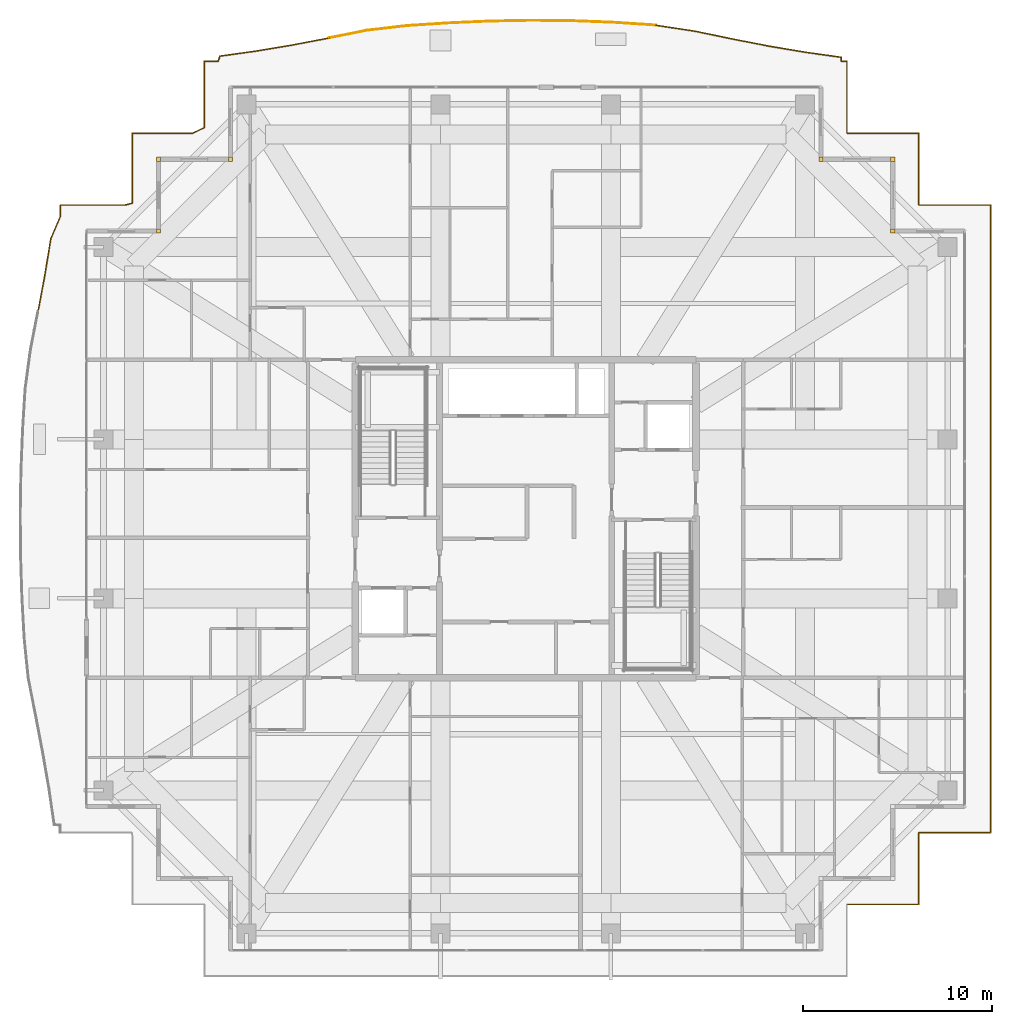
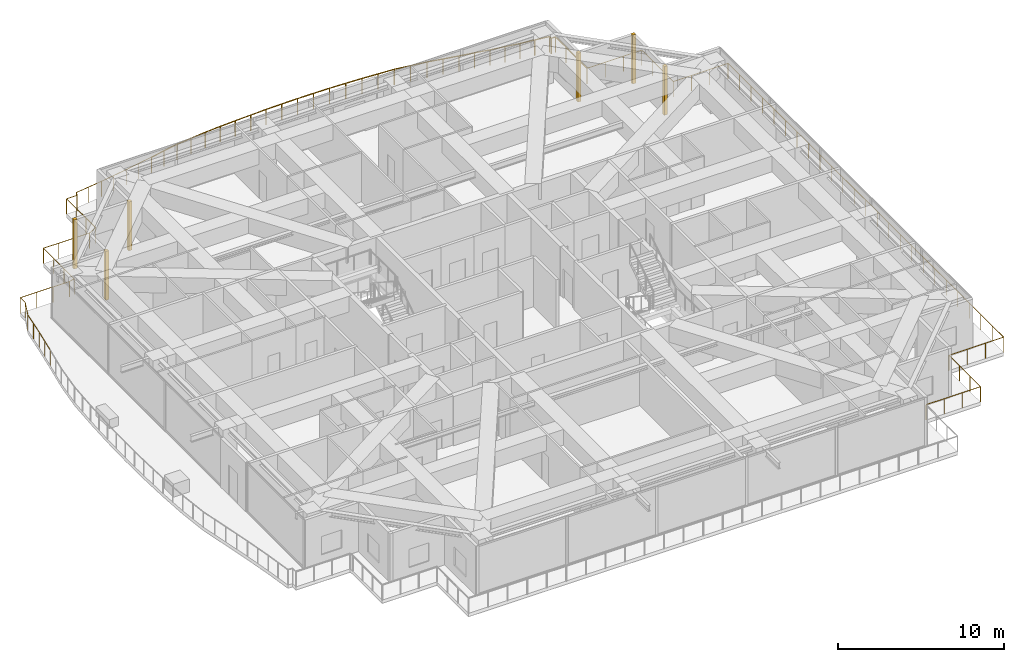
# One storey, part 40 of 40: 6 coverings, 5 railings.
"""IFC4 building model written with IfcOpenShell, lengths in metres."""

from ifc_helpers import new_model, si_unit, direction, frame, origin, origin_2d, place, context, subcontext, project, spatial, rectangle, circle, extrude, source, transform, mapped, material, layer, layer_set, type_object, element, save


model = new_model("IFC4")

# Units and contexts
model_context = context("Model", 3, precision=1e-05, world=origin(), true_north=direction((0.0, 1.0)))
body_context = subcontext(model_context, "Body", "Model", "MODEL_VIEW")
ifc_project = project(units=[si_unit("LENGTHUNIT", "METRE"), si_unit("AREAUNIT", "SQUARE_METRE"), si_unit("VOLUMEUNIT", "CUBIC_METRE"), si_unit("PLANEANGLEUNIT", "RADIAN"), si_unit("MASSUNIT", "GRAM", prefix="KILO")], contexts=[model_context])

# Site, building, storey
site_placement = place(None, origin())
site = spatial("IfcSite", under=ifc_project, at=site_placement, CompositionType="ELEMENT")
building_placement = place(site_placement, origin())
building = spatial("IfcBuilding", under=site, at=building_placement, Name="Serunith Strait Residences", CompositionType="ELEMENT")
storey_placement = place(building_placement, frame((0.0, 0.0, 333.949951171875)))
storey = spatial("IfcBuildingStorey", under=building, at=storey_placement, Name="L83", CompositionType="ELEMENT", Elevation=333.949951171875)

# Railings
ifc_material_1 = material(Name="Stainless Steel & Laminated Glass Balustrade", Category="steel")
railing_type = type_object("IfcRailingType", Name="RLG-BALC-1150", PredefinedType="BALUSTRADE", material=ifc_material_1)
railing_1_placement = place(storey_placement, frame((6.634521484375, 36.13916015625, -0.050048828125)))
element("IfcRailing", 1, at=railing_1_placement, inside=storey, type_object=railing_type, Name="L83 Swirling Balcony Perimeter Balustrade 3", PredefinedType="BALUSTRADE", context=body_context, shape_type="SweptSolid", body=[
    extrude(circle(Radius=0.02392578125, at=origin_2d()), frame((0.000244140625, 0.001953125, 1.1259765625), z_axis=(0.18259730512, 0.983187786826, 0.0), x_axis=(-0.983187786826, 0.18259730512, 0.0)), (0.0, 0.0, 1.0), 1.974853515625),
    extrude(circle(Radius=0.02392578125, at=origin_2d()), frame((0.361572265625, 1.947509765625, 1.1259765625), z_axis=(0.161785076875, 0.986826017543, 0.0), x_axis=(-0.986826017543, 0.161785076875, 0.0)), (0.0, 0.0, 1.0), 1.93505859375),
    extrude(circle(Radius=0.02392578125, at=origin_2d()), frame((0.67578125, 3.861083984375, 1.1259765625), z_axis=(0.394465661388, 0.918910682268, 0.0), x_axis=(-0.918910682268, 0.394465661388, 0.0)), (0.0, 0.0, 1.0), 1.2900390625),
    extrude(circle(Radius=0.02392578125, at=origin_2d()), frame((1.185546875, 5.05029296875, 1.1259765625), z_axis=(0.0, 1.0, 0.0), x_axis=(-1.0, 0.0, 0.0)), (0.0, 0.0, 1.0), 0.588623046875),
    extrude(circle(Radius=0.02392578125, at=origin_2d()), frame((1.1875, 5.640869140625, 1.1259765625), z_axis=(1.0, 0.0, 0.0), x_axis=(0.0, 1.0, 0.0)), (0.0, 0.0, 1.0), 3.406005859375),
    extrude(circle(Radius=0.02392578125, at=origin_2d()), frame((4.597412109375, 5.641357421875, 1.1259765625), z_axis=(0.970213886615, 0.24224990035, 0.0), x_axis=(-0.24224990035, 0.970213886615, 0.0)), (0.0, 0.0, 1.0), 0.398193359375),
    extrude(circle(Radius=0.02392578125, at=origin_2d()), frame((4.985595703125, 5.740234375, 1.1259765625), z_axis=(0.0, 1.0, 0.0), x_axis=(-1.0, 0.0, 0.0)), (0.0, 0.0, 1.0), 3.69873046875),
    extrude(circle(Radius=0.02392578125, at=origin_2d()), frame((4.987548828125, 9.44091796875, 1.1259765625), z_axis=(1.0, 0.0, 0.0), x_axis=(0.0, 1.0, 0.0)), (0.0, 0.0, 1.0), 3.186767578125),
    extrude(circle(Radius=0.02099609375, at=origin_2d()), origin(), (0.0, 0.0, 1.0), 1.099853515625),
    extrude(circle(Radius=0.02099609375, at=origin_2d()), frame((0.1806640625, 0.97265625, 0.0)), (0.0, 0.0, 1.0), 1.099853515625),
    extrude(circle(Radius=0.02099609375, at=origin_2d()), frame((0.361328125, 1.945556640625, 0.0)), (0.0, 0.0, 1.0), 1.099853515625),
    extrude(circle(Radius=0.02099609375, at=origin_2d()), frame((0.51806640625, 2.90234375, 0.0)), (0.0, 0.0, 1.0), 1.099853515625),
    extrude(circle(Radius=0.02099609375, at=origin_2d()), frame((0.675048828125, 3.859130859375, 0.0)), (0.0, 0.0, 1.0), 1.099853515625),
    extrude(circle(Radius=0.02099609375, at=origin_2d()), frame((1.185546875, 5.04833984375, 0.0)), (0.0, 0.0, 1.0), 1.099853515625),
    extrude(circle(Radius=0.02099609375, at=origin_2d()), frame((1.185546875, 5.640869140625, 0.0)), (0.0, 0.0, 1.0), 1.099853515625),
    extrude(circle(Radius=0.02099609375, at=origin_2d()), frame((2.322265625, 5.640869140625, 0.0)), (0.0, 0.0, 1.0), 1.099853515625),
    extrude(circle(Radius=0.02099609375, at=origin_2d()), frame((3.458740234375, 5.640869140625, 0.0)), (0.0, 0.0, 1.0), 1.099853515625),
    extrude(circle(Radius=0.02099609375, at=origin_2d()), frame((4.595458984375, 5.640869140625, 0.0)), (0.0, 0.0, 1.0), 1.099853515625),
    extrude(circle(Radius=0.02099609375, at=origin_2d()), frame((4.985595703125, 5.73828125, 0.0)), (0.0, 0.0, 1.0), 1.099853515625),
    extrude(circle(Radius=0.02099609375, at=origin_2d()), frame((4.985595703125, 6.972412109375, 0.0)), (0.0, 0.0, 1.0), 1.099853515625),
    extrude(circle(Radius=0.02099609375, at=origin_2d()), frame((4.985595703125, 8.206787109375, 0.0)), (0.0, 0.0, 1.0), 1.099853515625),
    extrude(circle(Radius=0.02099609375, at=origin_2d()), frame((4.985595703125, 9.44091796875, 0.0)), (0.0, 0.0, 1.0), 1.099853515625),
    extrude(circle(Radius=0.02099609375, at=origin_2d()), frame((6.049072265625, 9.44091796875, 0.0)), (0.0, 0.0, 1.0), 1.099853515625),
    extrude(circle(Radius=0.02099609375, at=origin_2d()), frame((7.11279296875, 9.44091796875, 0.0)), (0.0, 0.0, 1.0), 1.099853515625),
    extrude(circle(Radius=0.02099609375, at=origin_2d()), frame((8.17626953125, 9.44091796875, 0.0)), (0.0, 0.0, 1.0), 1.099853515625),
])
railing_2_placement = place(storey_placement, frame((14.810791015625, 45.580078125, -0.050048828125)))
element("IfcRailing", 2, at=railing_2_placement, inside=storey, type_object=railing_type, Name="L83 Swirling Balcony Perimeter Balustrade 4", PredefinedType="BALUSTRADE", context=body_context, shape_type="SweptSolid", body=[
    extrude(circle(Radius=0.02392578125, at=origin_2d()), frame((0.001708984375, 0.000732421875, 1.1259765625), z_axis=(0.904695399686, 0.426058955764, 0.0), x_axis=(-0.426058955764, 0.904695399686, 0.0)), (0.0, 0.0, 1.0), 0.669189453125),
    extrude(circle(Radius=0.02392578125, at=origin_2d()), frame((0.609130859375, 0.288818359375, 1.1259765625), z_axis=(0.0, 1.0, 0.0), x_axis=(-1.0, 0.0, 0.0)), (0.0, 0.0, 1.0), 3.509033203125),
    extrude(circle(Radius=0.02392578125, at=origin_2d()), frame((0.611083984375, 3.7998046875, 1.1259765625), z_axis=(1.0, 0.0, 0.0), x_axis=(0.0, 1.0, 0.0)), (0.0, 0.0, 1.0), 0.732421875),
    extrude(circle(Radius=0.02392578125, at=origin_2d()), frame((1.34619140625, 3.8017578125, 1.1259765625), z_axis=(0.314667006033, 0.949202125637, 0.0), x_axis=(-0.949202125637, 0.314667006033, 0.0)), (0.0, 0.0, 1.0), 0.277587890625),
    extrude(circle(Radius=0.02392578125, at=origin_2d()), frame((1.43603515625, 4.0673828125, 1.1259765625), z_axis=(0.990332317001, 0.138715182674, 0.0), x_axis=(-0.138715182674, 0.990332317001, 0.0)), (0.0, 0.0, 1.0), 1.916259765625),
    extrude(circle(Radius=0.02392578125, at=origin_2d()), frame((3.337646484375, 4.333740234375, 1.1259765625), z_axis=(0.98622723015, 0.165396041397, 0.0), x_axis=(-0.165396041397, 0.98622723015, 0.0)), (0.0, 0.0, 1.0), 1.94140625),
    extrude(circle(Radius=0.02392578125, at=origin_2d()), frame((5.25634765625, 4.65576171875, 1.1259765625), z_axis=(0.982397640605, 0.186801701633, 0.0), x_axis=(-0.186801701633, 0.982397640605, 0.0)), (0.0, 0.0, 1.0), 1.98388671875),
    extrude(circle(Radius=0.02099609375, at=origin_2d()), origin(), (0.0, 0.0, 1.0), 1.099853515625),
    extrude(circle(Radius=0.02099609375, at=origin_2d()), frame((0.609130859375, 0.286865234375, 0.0)), (0.0, 0.0, 1.0), 1.099853515625),
    extrude(circle(Radius=0.02099609375, at=origin_2d()), frame((0.609130859375, 1.457763671875, 0.0)), (0.0, 0.0, 1.0), 1.099853515625),
    extrude(circle(Radius=0.02099609375, at=origin_2d()), frame((0.609130859375, 2.62890625, 0.0)), (0.0, 0.0, 1.0), 1.099853515625),
    extrude(circle(Radius=0.02099609375, at=origin_2d()), frame((0.609130859375, 3.7998046875, 0.0)), (0.0, 0.0, 1.0), 1.099853515625),
    extrude(circle(Radius=0.02099609375, at=origin_2d()), frame((1.345458984375, 3.7998046875, 0.0)), (0.0, 0.0, 1.0), 1.099853515625),
    extrude(circle(Radius=0.02099609375, at=origin_2d()), frame((1.43408203125, 4.067138671875, 0.0)), (0.0, 0.0, 1.0), 1.099853515625),
    extrude(circle(Radius=0.02099609375, at=origin_2d()), frame((2.384765625, 4.2001953125, 0.0)), (0.0, 0.0, 1.0), 1.099853515625),
    extrude(circle(Radius=0.02099609375, at=origin_2d()), frame((3.335693359375, 4.33349609375, 0.0)), (0.0, 0.0, 1.0), 1.099853515625),
    extrude(circle(Radius=0.02099609375, at=origin_2d()), frame((4.294921875, 4.494384765625, 0.0)), (0.0, 0.0, 1.0), 1.099853515625),
    extrude(circle(Radius=0.02099609375, at=origin_2d()), frame((5.25439453125, 4.6552734375, 0.0)), (0.0, 0.0, 1.0), 1.099853515625),
    extrude(circle(Radius=0.02099609375, at=origin_2d()), frame((6.23095703125, 4.8408203125, 0.0)), (0.0, 0.0, 1.0), 1.099853515625),
    extrude(circle(Radius=0.02099609375, at=origin_2d()), frame((7.207275390625, 5.026611328125, 0.0)), (0.0, 0.0, 1.0), 1.099853515625),
])
railing_3_placement = place(storey_placement, frame((22.01806640625, 50.606689453125, -0.050048828125)))
element("IfcRailing", 3, at=railing_3_placement, inside=storey, type_object=railing_type, Name="L83 Swirling Balcony Perimeter Balustrade 5", PredefinedType="BALUSTRADE", context=body_context, shape_type="SweptSolid", body=[
    extrude(circle(Radius=0.02392578125, at=origin_2d()), frame((0.001953125, 0.00048828125, 1.1259765625), z_axis=(0.98055771477, 0.196230904818, 0.0), x_axis=(-0.196230904818, 0.98055771477, 0.0)), (0.0, 0.0, 1.0), 2.04150390625),
    extrude(circle(Radius=0.02392578125, at=origin_2d()), frame((2.007568359375, 0.401611328125, 1.1259765625), z_axis=(0.99337770145, 0.114894483166, 0.0), x_axis=(-0.114894483166, 0.99337770145, 0.0)), (0.0, 0.0, 1.0), 2.120849609375),
    extrude(circle(Radius=0.02392578125, at=origin_2d()), frame((4.118408203125, 0.645751953125, 1.1259765625), z_axis=(0.997866440713, 0.065288333565, 0.0), x_axis=(-0.065288333565, 0.997866440713, 0.0)), (0.0, 0.0, 1.0), 2.168701171875),
    extrude(circle(Radius=0.02392578125, at=origin_2d()), frame((6.286376953125, 0.787353515625, 1.1259765625), z_axis=(0.99903125482, 0.044006271069, 0.0), x_axis=(-0.044006271069, 0.99903125482, 0.0)), (0.0, 0.0, 1.0), 2.19287109375),
    extrude(circle(Radius=0.02392578125, at=origin_2d()), frame((8.481201171875, 0.884033203125, 1.1259765625), z_axis=(0.999834021113, 0.018218952345, 0.0), x_axis=(-0.018218952345, 0.999834021113, 0.0)), (0.0, 0.0, 1.0), 2.20703125),
    extrude(circle(Radius=0.02392578125, at=origin_2d()), frame((10.69189453125, 0.92431640625, 1.1259765625), z_axis=(0.999947285168, -0.01026775947, 0.0), x_axis=(0.01026775947, 0.999947285168, 0.0)), (0.0, 0.0, 1.0), 2.207275390625),
    extrude(circle(Radius=0.02392578125, at=origin_2d()), frame((12.903076171875, 0.901611328125, 1.1259765625), z_axis=(0.999235358094, -0.039098582264, 0.0), x_axis=(0.039098582264, 0.999235358094, 0.0)), (0.0, 0.0, 1.0), 2.19384765625),
    extrude(circle(Radius=0.02392578125, at=origin_2d()), frame((15.099365234375, 0.8154296875, 1.1259765625), z_axis=(0.997856708349, -0.065436913156, 0.0), x_axis=(0.065436913156, 0.997856708349, 0.0)), (0.0, 0.0, 1.0), 2.16748046875),
    extrude(circle(Radius=0.02099609375, at=origin_2d()), origin(), (0.0, 0.0, 1.0), 1.099853515625),
    extrude(circle(Radius=0.02099609375, at=origin_2d()), frame((1.0029296875, 0.20068359375, 0.0)), (0.0, 0.0, 1.0), 1.099853515625),
    extrude(circle(Radius=0.02099609375, at=origin_2d()), frame((2.005615234375, 0.4013671875, 0.0)), (0.0, 0.0, 1.0), 1.099853515625),
    extrude(circle(Radius=0.02099609375, at=origin_2d()), frame((3.06103515625, 0.5234375, 0.0)), (0.0, 0.0, 1.0), 1.099853515625),
    extrude(circle(Radius=0.02099609375, at=origin_2d()), frame((4.116455078125, 0.6455078125, 0.0)), (0.0, 0.0, 1.0), 1.099853515625),
    extrude(circle(Radius=0.02099609375, at=origin_2d()), frame((5.200439453125, 0.71630859375, 0.0)), (0.0, 0.0, 1.0), 1.099853515625),
    extrude(circle(Radius=0.02099609375, at=origin_2d()), frame((6.284423828125, 0.787353515625, 0.0)), (0.0, 0.0, 1.0), 1.099853515625),
    extrude(circle(Radius=0.02099609375, at=origin_2d()), frame((7.3818359375, 0.835693359375, 0.0)), (0.0, 0.0, 1.0), 1.099853515625),
    extrude(circle(Radius=0.02099609375, at=origin_2d()), frame((8.479248046875, 0.884033203125, 0.0)), (0.0, 0.0, 1.0), 1.099853515625),
    extrude(circle(Radius=0.02099609375, at=origin_2d()), frame((9.58447265625, 0.904296875, 0.0)), (0.0, 0.0, 1.0), 1.099853515625),
    extrude(circle(Radius=0.02099609375, at=origin_2d()), frame((10.68994140625, 0.92431640625, 0.0)), (0.0, 0.0, 1.0), 1.099853515625),
    extrude(circle(Radius=0.02099609375, at=origin_2d()), frame((11.79541015625, 0.9130859375, 0.0)), (0.0, 0.0, 1.0), 1.099853515625),
    extrude(circle(Radius=0.02099609375, at=origin_2d()), frame((12.901123046875, 0.901611328125, 0.0)), (0.0, 0.0, 1.0), 1.099853515625),
    extrude(circle(Radius=0.02099609375, at=origin_2d()), frame((13.999267578125, 0.858642578125, 0.0)), (0.0, 0.0, 1.0), 1.099853515625),
    extrude(circle(Radius=0.02099609375, at=origin_2d()), frame((15.097412109375, 0.815673828125, 0.0)), (0.0, 0.0, 1.0), 1.099853515625),
    extrude(circle(Radius=0.02099609375, at=origin_2d()), frame((16.1806640625, 0.74462890625, 0.0)), (0.0, 0.0, 1.0), 1.099853515625),
    extrude(circle(Radius=0.02099609375, at=origin_2d()), frame((17.26416015625, 0.673583984375, 0.0)), (0.0, 0.0, 1.0), 1.099853515625),
])
railing_4_placement = place(storey_placement, frame((39.2822265625, 51.2802734375, -0.050048828125)))
element("IfcRailing", 4, at=railing_4_placement, inside=storey, type_object=railing_type, Name="L83 Swirling Balcony Perimeter Balustrade 6", PredefinedType="BALUSTRADE", context=body_context, shape_type="SweptSolid", body=[
    extrude(circle(Radius=0.02392578125, at=origin_2d()), frame((0.001953125, -0.000244140625, 1.1259765625), z_axis=(0.988542619532, -0.150942006641, 0.0), x_axis=(0.150942006641, 0.988542619532, 0.0)), (0.0, 0.0, 1.0), 2.101806640625),
    extrude(circle(Radius=0.02392578125, at=origin_2d()), frame((2.083740234375, -0.318359375, 1.1259765625), z_axis=(0.979125257545, -0.203257792071, 0.0), x_axis=(0.203257792071, 0.979125257545, 0.0)), (0.0, 0.0, 1.0), 2.02587890625),
    extrude(circle(Radius=0.02392578125, at=origin_2d()), frame((4.0712890625, -0.73095703125, 1.1259765625), z_axis=(0.981525752565, -0.191330073568, 0.0), x_axis=(0.191330073568, 0.981525752565, 0.0)), (0.0, 0.0, 1.0), 1.96875),
    extrude(circle(Radius=0.02392578125, at=origin_2d()), frame((6.007568359375, -1.108154296875, 1.1259765625), z_axis=(0.985981205157, -0.166856414554, 0.0), x_axis=(0.166856414554, 0.985981205157, 0.0)), (0.0, 0.0, 1.0), 1.928955078125),
    extrude(circle(Radius=0.02392578125, at=origin_2d()), frame((7.913330078125, -1.4306640625, 1.1259765625), z_axis=(0.990501461024, -0.137502202562, 0.0), x_axis=(0.137502202562, 0.990501461024, 0.0)), (0.0, 0.0, 1.0), 1.906494140625),
    extrude(circle(Radius=0.02392578125, at=origin_2d()), frame((9.8037109375, -1.695068359375, 1.1259765625), z_axis=(-0.009422432112, -0.999955607901, 0.0), x_axis=(0.999955607901, -0.009422432112, 0.0)), (0.0, 0.0, 1.0), 0.203369140625),
    extrude(circle(Radius=0.02392578125, at=origin_2d()), frame((9.8037109375, -1.900390625, 1.1259765625), z_axis=(1.0, 0.0, 0.0), x_axis=(0.0, 1.0, 0.0)), (0.0, 0.0, 1.0), 0.2919921875),
    extrude(circle(Radius=0.02392578125, at=origin_2d()), frame((10.09765625, -1.90234375, 1.1259765625), z_axis=(0.0, -1.0, 0.0), x_axis=(1.0, 0.0, 0.0)), (0.0, 0.0, 1.0), 3.7958984375),
    extrude(circle(Radius=0.02099609375, at=origin_2d()), origin(), (0.0, 0.0, 1.0), 1.099853515625),
    extrude(circle(Radius=0.02099609375, at=origin_2d()), frame((1.041015625, -0.158935546875, 0.0)), (0.0, 0.0, 1.0), 1.099853515625),
    extrude(circle(Radius=0.02099609375, at=origin_2d()), frame((2.081787109375, -0.31787109375, 0.0)), (0.0, 0.0, 1.0), 1.099853515625),
    extrude(circle(Radius=0.02099609375, at=origin_2d()), frame((3.07568359375, -0.524169921875, 0.0)), (0.0, 0.0, 1.0), 1.099853515625),
    extrude(circle(Radius=0.02099609375, at=origin_2d()), frame((4.0693359375, -0.73046875, 0.0)), (0.0, 0.0, 1.0), 1.099853515625),
    extrude(circle(Radius=0.02099609375, at=origin_2d()), frame((5.03759765625, -0.919189453125, 0.0)), (0.0, 0.0, 1.0), 1.099853515625),
    extrude(circle(Radius=0.02099609375, at=origin_2d()), frame((6.005615234375, -1.10791015625, 0.0)), (0.0, 0.0, 1.0), 1.099853515625),
    extrude(circle(Radius=0.02099609375, at=origin_2d()), frame((6.95849609375, -1.26904296875, 0.0)), (0.0, 0.0, 1.0), 1.099853515625),
    extrude(circle(Radius=0.02099609375, at=origin_2d()), frame((7.911376953125, -1.430419921875, 0.0)), (0.0, 0.0, 1.0), 1.099853515625),
    extrude(circle(Radius=0.02099609375, at=origin_2d()), frame((8.857421875, -1.561767578125, 0.0)), (0.0, 0.0, 1.0), 1.099853515625),
    extrude(circle(Radius=0.02099609375, at=origin_2d()), frame((9.8037109375, -1.693115234375, 0.0)), (0.0, 0.0, 1.0), 1.099853515625),
    extrude(circle(Radius=0.02099609375, at=origin_2d()), frame((9.8017578125, -1.900390625, 0.0)), (0.0, 0.0, 1.0), 1.099853515625),
    extrude(circle(Radius=0.02099609375, at=origin_2d()), frame((10.09765625, -1.900390625, 0.0)), (0.0, 0.0, 1.0), 1.099853515625),
    extrude(circle(Radius=0.02099609375, at=origin_2d()), frame((10.09765625, -3.1669921875, 0.0)), (0.0, 0.0, 1.0), 1.099853515625),
    extrude(circle(Radius=0.02099609375, at=origin_2d()), frame((10.09765625, -4.43359375, 0.0)), (0.0, 0.0, 1.0), 1.099853515625),
    extrude(circle(Radius=0.02099609375, at=origin_2d()), frame((10.09765625, -5.7001953125, 0.0)), (0.0, 0.0, 1.0), 1.099853515625),
])
railing_5_placement = place(storey_placement, frame((49.3798828125, 45.580078125, -0.050048828125)))
element("IfcRailing", 5, at=railing_5_placement, inside=storey, type_object=railing_type, Name="L83 Swirling Balcony Perimeter Balustrade 7", PredefinedType="BALUSTRADE", context=body_context, shape_type="SweptSolid", body=[
    extrude(circle(Radius=0.02392578125, at=origin_2d()), frame((0.001953125, 0.0, 1.1259765625), z_axis=(1.0, 0.0, 0.0), x_axis=(0.0, 1.0, 0.0)), (0.0, 0.0, 1.0), 3.796142578125),
    extrude(circle(Radius=0.02392578125, at=origin_2d()), frame((3.800048828125, -0.001953125, 1.1259765625), z_axis=(0.0, -1.0, 0.0), x_axis=(1.0, 0.0, 0.0)), (0.0, 0.0, 1.0), 3.796142578125),
    extrude(circle(Radius=0.02392578125, at=origin_2d()), frame((3.802001953125, -3.800048828125, 1.1259765625), z_axis=(1.0, 0.0, 0.0), x_axis=(0.0, 1.0, 0.0)), (0.0, 0.0, 1.0), 3.796142578125),
    extrude(circle(Radius=0.02392578125, at=origin_2d()), frame((7.60009765625, -3.802001953125, 1.1259765625), z_axis=(0.0, -1.0, 0.0), x_axis=(1.0, 0.0, 0.0)), (0.0, 0.0, 1.0), 33.156005859375),
    extrude(circle(Radius=0.02392578125, at=origin_2d()), frame((7.59814453125, -36.9599609375, 1.1259765625), z_axis=(-1.0, 0.0, 0.0), x_axis=(0.0, -1.0, 0.0)), (0.0, 0.0, 1.0), 3.796142578125),
    extrude(circle(Radius=0.02392578125, at=origin_2d()), frame((3.800048828125, -36.9619140625, 1.1259765625), z_axis=(0.0, -1.0, 0.0), x_axis=(1.0, 0.0, 0.0)), (0.0, 0.0, 1.0), 3.796142578125),
    extrude(circle(Radius=0.02392578125, at=origin_2d()), frame((3.798095703125, -40.760009765625, 1.1259765625), z_axis=(-1.0, 0.0, 0.0), x_axis=(0.0, -1.0, 0.0)), (0.0, 0.0, 1.0), 3.783447265625),
    extrude(circle(Radius=0.02099609375, at=origin_2d()), origin(), (0.0, 0.0, 1.0), 1.099853515625),
    extrude(circle(Radius=0.02099609375, at=origin_2d()), frame((1.2666015625, 0.0, 0.0)), (0.0, 0.0, 1.0), 1.099853515625),
    extrude(circle(Radius=0.02099609375, at=origin_2d()), frame((2.533447265625, 0.0, 0.0)), (0.0, 0.0, 1.0), 1.099853515625),
    extrude(circle(Radius=0.02099609375, at=origin_2d()), frame((3.800048828125, 0.0, 0.0)), (0.0, 0.0, 1.0), 1.099853515625),
    extrude(circle(Radius=0.02099609375, at=origin_2d()), frame((3.800048828125, -1.2666015625, 0.0)), (0.0, 0.0, 1.0), 1.099853515625),
    extrude(circle(Radius=0.02099609375, at=origin_2d()), frame((3.800048828125, -2.533447265625, 0.0)), (0.0, 0.0, 1.0), 1.099853515625),
    extrude(circle(Radius=0.02099609375, at=origin_2d()), frame((3.800048828125, -3.800048828125, 0.0)), (0.0, 0.0, 1.0), 1.099853515625),
    extrude(circle(Radius=0.02099609375, at=origin_2d()), frame((5.066650390625, -3.800048828125, 0.0)), (0.0, 0.0, 1.0), 1.099853515625),
    extrude(circle(Radius=0.02099609375, at=origin_2d()), frame((6.33349609375, -3.800048828125, 0.0)), (0.0, 0.0, 1.0), 1.099853515625),
    extrude(circle(Radius=0.02099609375, at=origin_2d()), frame((7.60009765625, -3.800048828125, 0.0)), (0.0, 0.0, 1.0), 1.099853515625),
    extrude(circle(Radius=0.02099609375, at=origin_2d()), frame((7.60009765625, -5.181640625, 0.0)), (0.0, 0.0, 1.0), 1.099853515625),
    extrude(circle(Radius=0.02099609375, at=origin_2d()), frame((7.60009765625, -6.5634765625, 0.0)), (0.0, 0.0, 1.0), 1.099853515625),
    extrude(circle(Radius=0.02099609375, at=origin_2d()), frame((7.60009765625, -7.945068359375, 0.0)), (0.0, 0.0, 1.0), 1.099853515625),
    extrude(circle(Radius=0.02099609375, at=origin_2d()), frame((7.60009765625, -9.32666015625, 0.0)), (0.0, 0.0, 1.0), 1.099853515625),
    extrude(circle(Radius=0.02099609375, at=origin_2d()), frame((7.60009765625, -10.708251953125, 0.0)), (0.0, 0.0, 1.0), 1.099853515625),
    extrude(circle(Radius=0.02099609375, at=origin_2d()), frame((7.60009765625, -12.090087890625, 0.0)), (0.0, 0.0, 1.0), 1.099853515625),
    extrude(circle(Radius=0.02099609375, at=origin_2d()), frame((7.60009765625, -13.4716796875, 0.0)), (0.0, 0.0, 1.0), 1.099853515625),
    extrude(circle(Radius=0.02099609375, at=origin_2d()), frame((7.60009765625, -14.853271484375, 0.0)), (0.0, 0.0, 1.0), 1.099853515625),
    extrude(circle(Radius=0.02099609375, at=origin_2d()), frame((7.60009765625, -16.235107421875, 0.0)), (0.0, 0.0, 1.0), 1.099853515625),
    extrude(circle(Radius=0.02099609375, at=origin_2d()), frame((7.60009765625, -17.61669921875, 0.0)), (0.0, 0.0, 1.0), 1.099853515625),
    extrude(circle(Radius=0.02099609375, at=origin_2d()), frame((7.60009765625, -18.998291015625, 0.0)), (0.0, 0.0, 1.0), 1.099853515625),
    extrude(circle(Radius=0.02099609375, at=origin_2d()), frame((7.60009765625, -20.3798828125, 0.0)), (0.0, 0.0, 1.0), 1.099853515625),
    extrude(circle(Radius=0.02099609375, at=origin_2d()), frame((7.60009765625, -21.76171875, 0.0)), (0.0, 0.0, 1.0), 1.099853515625),
    extrude(circle(Radius=0.02099609375, at=origin_2d()), frame((7.60009765625, -23.143310546875, 0.0)), (0.0, 0.0, 1.0), 1.099853515625),
    extrude(circle(Radius=0.02099609375, at=origin_2d()), frame((7.60009765625, -24.52490234375, 0.0)), (0.0, 0.0, 1.0), 1.099853515625),
    extrude(circle(Radius=0.02099609375, at=origin_2d()), frame((7.60009765625, -25.90673828125, 0.0)), (0.0, 0.0, 1.0), 1.099853515625),
    extrude(circle(Radius=0.02099609375, at=origin_2d()), frame((7.60009765625, -27.288330078125, 0.0)), (0.0, 0.0, 1.0), 1.099853515625),
    extrude(circle(Radius=0.02099609375, at=origin_2d()), frame((7.60009765625, -28.669921875, 0.0)), (0.0, 0.0, 1.0), 1.099853515625),
    extrude(circle(Radius=0.02099609375, at=origin_2d()), frame((7.60009765625, -30.0517578125, 0.0)), (0.0, 0.0, 1.0), 1.099853515625),
    extrude(circle(Radius=0.02099609375, at=origin_2d()), frame((7.60009765625, -31.433349609375, 0.0)), (0.0, 0.0, 1.0), 1.099853515625),
    extrude(circle(Radius=0.02099609375, at=origin_2d()), frame((7.60009765625, -32.81494140625, 0.0)), (0.0, 0.0, 1.0), 1.099853515625),
    extrude(circle(Radius=0.02099609375, at=origin_2d()), frame((7.60009765625, -34.196533203125, 0.0)), (0.0, 0.0, 1.0), 1.099853515625),
    extrude(circle(Radius=0.02099609375, at=origin_2d()), frame((7.60009765625, -35.578369140625, 0.0)), (0.0, 0.0, 1.0), 1.099853515625),
    extrude(circle(Radius=0.02099609375, at=origin_2d()), frame((7.60009765625, -36.9599609375, 0.0)), (0.0, 0.0, 1.0), 1.099853515625),
    extrude(circle(Radius=0.02099609375, at=origin_2d()), frame((6.33349609375, -36.9599609375, 0.0)), (0.0, 0.0, 1.0), 1.099853515625),
    extrude(circle(Radius=0.02099609375, at=origin_2d()), frame((5.066650390625, -36.9599609375, 0.0)), (0.0, 0.0, 1.0), 1.099853515625),
    extrude(circle(Radius=0.02099609375, at=origin_2d()), frame((3.800048828125, -36.9599609375, 0.0)), (0.0, 0.0, 1.0), 1.099853515625),
    extrude(circle(Radius=0.02099609375, at=origin_2d()), frame((3.800048828125, -38.2265625, 0.0)), (0.0, 0.0, 1.0), 1.099853515625),
    extrude(circle(Radius=0.02099609375, at=origin_2d()), frame((3.800048828125, -39.493408203125, 0.0)), (0.0, 0.0, 1.0), 1.099853515625),
    extrude(circle(Radius=0.02099609375, at=origin_2d()), frame((3.800048828125, -40.760009765625, 0.0)), (0.0, 0.0, 1.0), 1.099853515625),
    extrude(circle(Radius=0.02099609375, at=origin_2d()), frame((2.53759765625, -40.760009765625, 0.0)), (0.0, 0.0, 1.0), 1.099853515625),
    extrude(circle(Radius=0.02099609375, at=origin_2d()), frame((1.275146484375, -40.760009765625, 0.0)), (0.0, 0.0, 1.0), 1.099853515625),
    extrude(circle(Radius=0.02099609375, at=origin_2d()), frame((0.0126953125, -40.760009765625, 0.0)), (0.0, 0.0, 1.0), 1.099853515625),
])

# Coverings
ifc_material_2 = material(Name="Pale-Champagne Anodised Aluminium", Category="aluminium")
ifc_layer = layer(ifc_material_2, 0.219970703125, Name="Pale-Champagne Anodised Aluminium")
ifc_layer_set = layer_set([ifc_layer], Name="Pale-Champagne Anodised Aluminium")
covering_type = type_object("IfcCoveringType", Name="COV-CORN-TRIM", PredefinedType="CLADDING", material=ifc_layer_set)
shared_shape = source(origin(), body_context, "Body", "SweptSolid", [
    extrude(rectangle(XDim=0.221923828125, YDim=0.221923828125, at=origin_2d()), origin(), (0.0, 0.0, 1.0), 3.594970703125),
])
for number, where, z_axis, x_axis, name in (
    (6, (51.800048828125, 40.39990234375, 0.0), (0.0, 0.0, 1.0), (1.0, 0.0, 0.0), "L83 Girih Serrated Corner Trim Post 07"),
    (7, (51.800048828125, 44.199951171875, 0.0), (0.0, 0.0, 1.0), (1.0, 0.0, 0.0), "L83 Girih Serrated Corner Trim Post 08"),
    (8, (48.0, 44.199951171875, 0.0), (0.0, 0.0, 1.0), (1.0, 0.0, 0.0), "L83 Girih Serrated Corner Trim Post 09"),
    (9, (16.800048828125, 44.199951171875, 0.0), (0.0, 0.0, 1.0), (1.0, 0.0, 0.0), "L83 Girih Serrated Corner Trim Post 12"),
    (10, (13.0, 44.199951171875, 0.0), (0.0, 0.0, 1.0), (1.0, 0.0, 0.0), "L83 Girih Serrated Corner Trim Post 13"),
    (11, (13.0, 40.39990234375, 0.0), (0.0, 0.0, 1.0), (1.0, 0.0, 0.0), "L83 Girih Serrated Corner Trim Post 14"),
):
    element("IfcCovering", number, at=place(storey_placement, frame(where, z_axis=z_axis, x_axis=x_axis)), inside=storey, type_object=covering_type, Name=name, PredefinedType="CLADDING", context=body_context, shape_type="MappedRepresentation", body=[
        mapped(shared_shape, transform((0.0, 0.0, 0.0), scale=1.0)),
    ])

save(model, "model.ifc")
